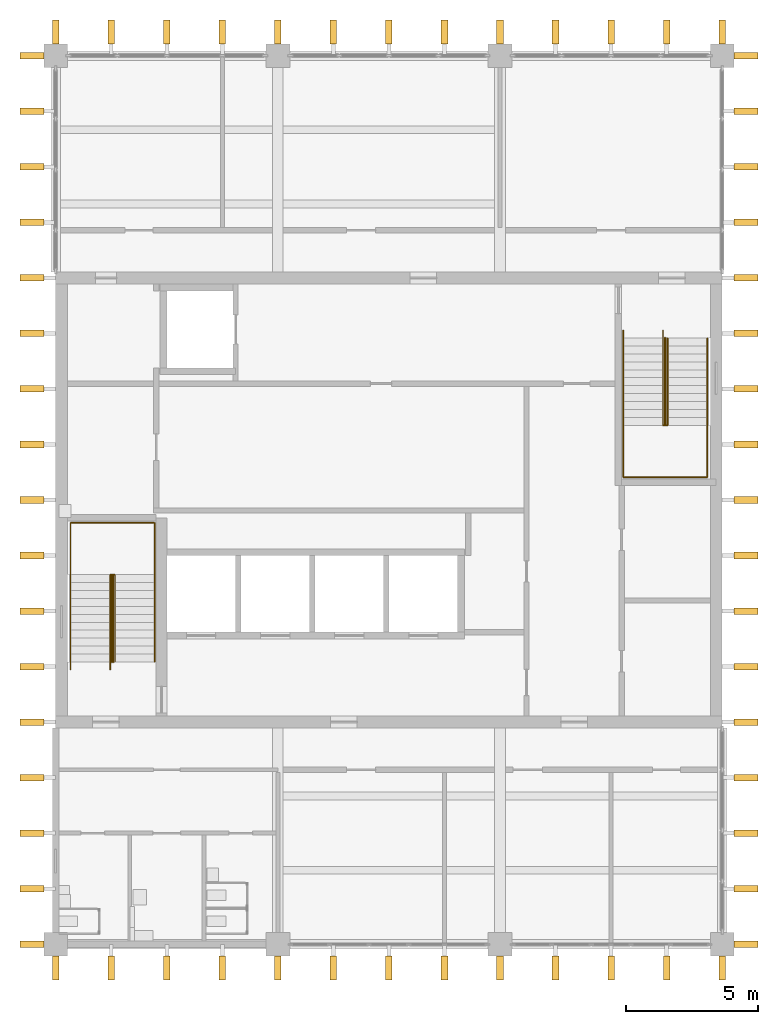
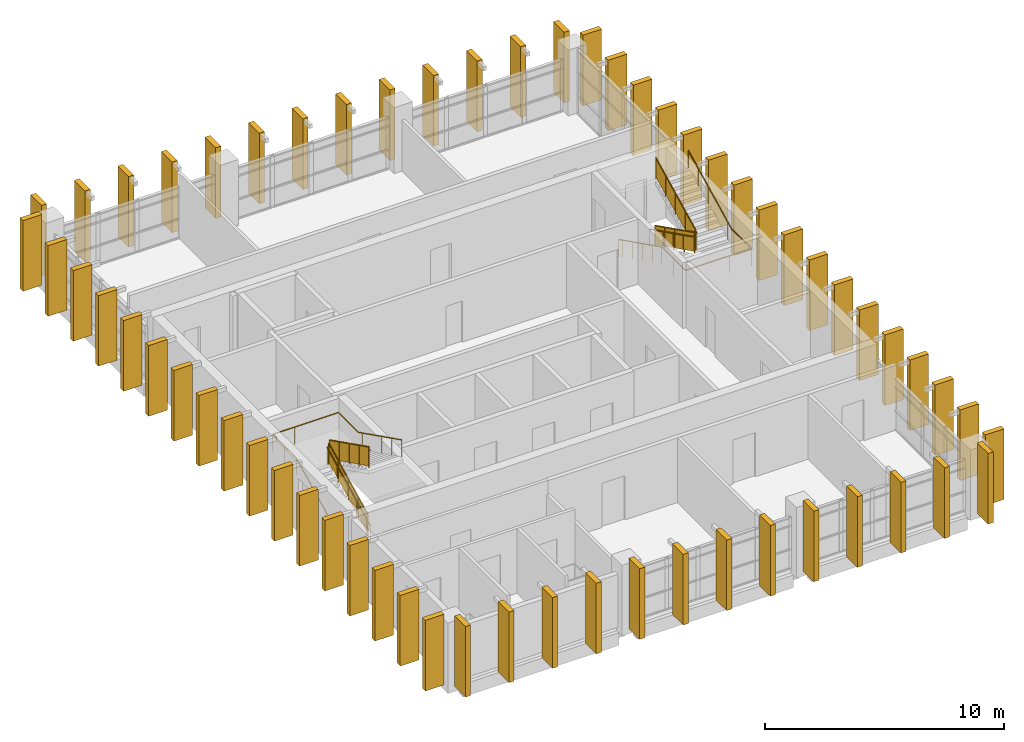
# One storey, part 10 of 11: 60 shading devices, 8 railings.
"""IFC4 building model written with IfcOpenShell, lengths in metres."""

import ifcopenshell
import ifcopenshell.guid

model = None  # the IFC model being written
_history = None  # IfcOwnerHistory: only IFC2X3 demands one
_inside = {}  # id of a spatial element -> (the spatial element, [elements in it])
_under = {}  # id of a project, library or spatial element -> (it, [spatial elements below it])
_declared = {}  # id of a project -> (the project, [libraries it declares])
_typed = {}  # id of a type object -> (the type object, [elements of that type])
_made_of = {}  # id of a material, layer set ... -> (it, [elements and type objects made of it])


def new_model(schema):
    """Start an empty IFC model of exactly this schema.

    Asked for "IFC4X3", IfcOpenShell would pick the latest addendum, in which some entities
    have other attributes; the version numbers below select the first issue.
    IFC2X3 requires an IfcOwnerHistory on every rooted entity: one is made here for all.
    """
    global model, _history
    if schema == "IFC4X3":
        model = ifcopenshell.file(schema_version=(4, 3, 0, 0))
    else:
        model = ifcopenshell.file(schema=schema)
    _inside.clear()
    _under.clear()
    _declared.clear()
    _typed.clear()
    _made_of.clear()
    _history = None
    if model.schema == "IFC2X3":
        org = make("IfcOrganization", Name="unknown")
        user = make(
            "IfcPersonAndOrganization",
            ThePerson=make("IfcPerson", FamilyName="unknown"),
            TheOrganization=org,
        )
        app = make(
            "IfcApplication",
            ApplicationDeveloper=org,
            Version="unknown",
            ApplicationFullName="unknown",
            ApplicationIdentifier="unknown",
        )
        _history = make(
            "IfcOwnerHistory",
            OwningUser=user,
            OwningApplication=app,
            ChangeAction="ADDED",
            CreationDate=0,
        )
    return model


def make(cls, **values):
    """One entity of the class cls with the attributes given. An attribute that is None is left unset."""
    return model.create_entity(
        cls, **{name: value for name, value in values.items() if value is not None}
    )


def rooted(cls, **values):
    """An entity with a GlobalId (a new one), such as an element, a storey or a relation."""
    return make(cls, GlobalId=ifcopenshell.guid.new(), OwnerHistory=_history, **values)


def si_unit(unit_type, name, prefix=None):
    """IfcSIUnit, for example si_unit("LENGTHUNIT", "METRE", prefix="MILLI")."""
    return make("IfcSIUnit", UnitType=unit_type, Prefix=prefix, Name=name)


def assignment(units):
    """IfcUnitAssignment: the units of a project."""
    return None if units is None else make("IfcUnitAssignment", Units=units)


def point(xyz):
    """IfcCartesianPoint."""
    return None if xyz is None else make("IfcCartesianPoint", Coordinates=xyz)


def direction(xyz):
    """IfcDirection."""
    return None if xyz is None else make("IfcDirection", DirectionRatios=xyz)


def frame(location, z_axis=None, x_axis=None):
    """IfcAxis2Placement3D, a coordinate frame: its origin and axes. An axis left out is left unset."""
    return make(
        "IfcAxis2Placement3D",
        Location=point(location),
        Axis=direction(z_axis),
        RefDirection=direction(x_axis),
    )


def frame_2d(location, x_axis=None):
    """IfcAxis2Placement2D, a coordinate frame in the plane: its origin and x axis."""
    return make(
        "IfcAxis2Placement2D", Location=point(location), RefDirection=direction(x_axis)
    )


def origin():
    """The frame at (0, 0, 0) with its axes left unset."""
    return frame((0.0, 0.0, 0.0))


def origin_2d():
    """The frame at (0, 0) in the plane with its x axis left unset."""
    return frame_2d((0.0, 0.0))


def place(relative_to, where):
    """IfcLocalPlacement: puts the frame where relative to a parent placement (None: the world)."""
    return make(
        "IfcLocalPlacement", PlacementRelTo=relative_to, RelativePlacement=where
    )


def context(
    kind, dimensions, precision=None, world=None, true_north=None, identifier=None
):
    """IfcGeometricRepresentationContext, for example the 3D "Model" context."""
    return make(
        "IfcGeometricRepresentationContext",
        ContextIdentifier=identifier,
        ContextType=kind,
        CoordinateSpaceDimension=dimensions,
        Precision=precision,
        WorldCoordinateSystem=world,
        TrueNorth=true_north,
    )


def subcontext(parent, identifier, kind, view, scale=None):
    """IfcGeometricRepresentationSubContext, for example "Body" below "Model"."""
    return make(
        "IfcGeometricRepresentationSubContext",
        ContextIdentifier=identifier,
        ContextType=kind,
        ParentContext=parent,
        TargetScale=scale,
        TargetView=view,
    )


def project(units=None, contexts=None):
    """IfcProject with its units and contexts."""
    return rooted(
        "IfcProject",
        Name="project",
        RepresentationContexts=contexts,
        UnitsInContext=assignment(units),
    )


def spatial(cls, under=None, at=None, **own):
    """A site, building, storey or space (cls), placed at a placement, below another one or the project."""
    s = rooted(cls, ObjectPlacement=at, **own)
    if under is not None:
        _under.setdefault(under.id(), (under, []))[1].append(s)
    return s


def polyline(points):
    """IfcPolyline through the points."""
    return make("IfcPolyline", Points=[point(p) for p in points])


def profile(cls, at=None, kind="AREA", **sizes):
    """A parametric profile (cls). Its sizes go by their IFC names, for example OverallWidth=200.0."""
    return make(cls, ProfileType=kind, Position=at, **sizes)


def rectangle(**sizes):
    """IfcRectangleProfileDef."""
    return profile("IfcRectangleProfileDef", **sizes)


def circle(**sizes):
    """IfcCircleProfileDef."""
    return profile("IfcCircleProfileDef", **sizes)


def outline(outer, holes=None, kind="AREA"):
    """IfcArbitraryClosedProfileDef: a profile drawn as a closed curve; with holes, ...WithVoids."""
    if holes is None:
        return make("IfcArbitraryClosedProfileDef", ProfileType=kind, OuterCurve=outer)
    return make(
        "IfcArbitraryProfileDefWithVoids",
        ProfileType=kind,
        OuterCurve=outer,
        InnerCurves=holes,
    )


def extrude(swept, where, along, depth):
    """IfcExtrudedAreaSolid: the profile swept, set in the frame where, extruded along a direction by depth."""
    return make(
        "IfcExtrudedAreaSolid",
        SweptArea=swept,
        Position=where,
        ExtrudedDirection=direction(along),
        Depth=depth,
    )


def shape(context_of_items, identifier, shape_type, items):
    """IfcShapeRepresentation: the items that make up one representation, for example the "Body"."""
    return make(
        "IfcShapeRepresentation",
        ContextOfItems=context_of_items,
        RepresentationIdentifier=identifier,
        RepresentationType=shape_type,
        Items=items,
    )


def material(Name=None, Category=None):
    """IfcMaterial."""
    return make("IfcMaterial", Name=Name, Category=Category)


def material_profile(
    of_material, cross_section, Name=None, Category=None, Priority=None
):
    """IfcMaterialProfile: a cross section and its material."""
    return make(
        "IfcMaterialProfile",
        Name=Name,
        Material=of_material,
        Profile=cross_section,
        Priority=Priority,
        Category=Category,
    )


def profile_set(profiles, Name=None, composite=None):
    """IfcMaterialProfileSet."""
    return make(
        "IfcMaterialProfileSet",
        Name=Name,
        MaterialProfiles=profiles,
        CompositeProfile=composite,
    )


def made_of(thing, what):
    """Note that an element or type object is made of a material, layer set ...; save() writes the relation."""
    if what is not None:
        _made_of.setdefault(what.id(), (what, []))[1].append(thing)
    return thing


def type_object(cls, material=None, **own):
    """A type object (cls), such as IfcWallType, which elements share."""
    return made_of(rooted(cls, **own), material)


def element(
    cls,
    number,
    at=None,
    inside=None,
    cuts=None,
    type_object=None,
    material=None,
    context=None,
    identifier="Body",
    shape_type=None,
    held_by="IfcProductDefinitionShape",
    body=None,
    shapes=None,
    **own,
):
    """One element of the class cls, such as IfcWall. Its Tag is "e" and its number.

    at: its placement. inside: the storey or other place that contains it. cuts: it is an
    opening in that element (IfcRelVoidsElement). A single representation is given by context,
    identifier, shape_type and body (its items); several are given by shapes. held_by: the class
    of the entity that holds the representations. save() writes the other relations.
    """
    e = rooted(cls, Tag="e%d" % number, ObjectPlacement=at, **own)
    if body is not None:
        shapes = [shape(context, identifier, shape_type, body)]
    if shapes is not None:
        e.Representation = make(held_by, Representations=shapes)
    if inside is not None:
        _inside.setdefault(inside.id(), (inside, []))[1].append(e)
    if cuts is not None:
        rooted(
            "IfcRelVoidsElement", RelatingBuildingElement=cuts, RelatedOpeningElement=e
        )
    if type_object is not None:
        _typed.setdefault(type_object.id(), (type_object, []))[1].append(e)
    return made_of(e, material)


def aggregate(whole, parts):
    """IfcRelAggregates: a whole, such as a stair, and the parts it consists of."""
    return rooted("IfcRelAggregates", RelatingObject=whole, RelatedObjects=parts)


def save(model, path):
    """Write the relations noted so far, then the file.

    IfcRelAggregates (storeys below a building ...), IfcRelContainedInSpatialStructure (elements
    in a storey), IfcRelDefinesByType, IfcRelAssociatesMaterial and IfcRelDeclares: one each for
    every whole, place, type object, material and project.
    """
    for whole, parts in _under.values():
        aggregate(whole, parts)
    for where, things in _inside.values():
        rooted(
            "IfcRelContainedInSpatialStructure",
            RelatedElements=things,
            RelatingStructure=where,
        )
    for kind, things in _typed.values():
        rooted("IfcRelDefinesByType", RelatedObjects=things, RelatingType=kind)
    for what, things in _made_of.values():
        rooted("IfcRelAssociatesMaterial", RelatedObjects=things, RelatingMaterial=what)
    for by, libraries in _declared.values():
        rooted("IfcRelDeclares", RelatingContext=by, RelatedDefinitions=libraries)
    model.write(path)


model = new_model("IFC4")

# Units and contexts
model_context = context("Model", 3, precision=1e-05, world=origin(), true_north=direction((0.0, 1.0)))
body_context = subcontext(model_context, "Body", "Model", "MODEL_VIEW")
ifc_project = project(units=[si_unit("LENGTHUNIT", "METRE"), si_unit("AREAUNIT", "SQUARE_METRE"), si_unit("VOLUMEUNIT", "CUBIC_METRE"), si_unit("PLANEANGLEUNIT", "RADIAN"), si_unit("MASSUNIT", "GRAM", prefix="KILO")], contexts=[model_context])

# Site, building, storey
site_placement = place(None, origin())
site = spatial("IfcSite", under=ifc_project, at=site_placement, CompositionType="ELEMENT")
building_placement = place(site_placement, origin())
building = spatial("IfcBuilding", under=site, at=building_placement, Name="Rulbaag Community and Learning Centre", CompositionType="ELEMENT")
storey_placement = place(building_placement, frame((0.0, 0.0, 32.39990234375)))
storey = spatial("IfcBuildingStorey", under=building, at=storey_placement, Name="L08", CompositionType="ELEMENT", Elevation=32.39990234375)

# Shading devices
ifc_material_1 = material(Name="Concrete M40", Category="concrete")
ifc_material_profile = material_profile(ifc_material_1, rectangle(XDim=0.25, YDim=0.89990234375, at=origin_2d()), Name="PC 250x900")
ifc_profile_set = profile_set([ifc_material_profile], Name="Concrete M40")
shading_device_type = type_object("IfcShadingDeviceType", Name="FIN-H", PredefinedType="JALOUSIE", material=ifc_profile_set)
for number, where, z_axis, x_axis, name in (
    (1, (142.800048828125, 83.10009765625, 0.0), (0.0, 0.0, 1.0), (1.0, 0.0, 0.0), "Precast fin"),
    (2, (144.89990234375, 83.10009765625, 0.0), (0.0, 0.0, 1.0), (1.0, 0.0, 0.0), "Precast fin"),
    (3, (147.0, 83.10009765625, 0.0), (0.0, 0.0, 1.0), (1.0, 0.0, 0.0), "Precast fin"),
    (4, (149.10009765625, 83.10009765625, 0.0), (0.0, 0.0, 1.0), (1.0, 0.0, 0.0), "Precast fin"),
    (5, (151.199951171875, 83.10009765625, 0.0), (0.0, 0.0, 1.0), (1.0, 0.0, 0.0), "Precast fin"),
    (6, (153.300048828125, 83.10009765625, 0.0), (0.0, 0.0, 1.0), (1.0, 0.0, 0.0), "Precast fin"),
    (7, (155.39990234375, 83.10009765625, 0.0), (0.0, 0.0, 1.0), (1.0, 0.0, 0.0), "Precast fin"),
    (8, (157.5, 83.10009765625, 0.0), (0.0, 0.0, 1.0), (1.0, 0.0, 0.0), "Precast fin"),
    (9, (159.60009765625, 83.10009765625, 0.0), (0.0, 0.0, 1.0), (1.0, 0.0, 0.0), "Precast fin"),
    (10, (161.699951171875, 83.10009765625, 0.0), (0.0, 0.0, 1.0), (1.0, 0.0, 0.0), "Precast fin"),
    (11, (163.800048828125, 83.10009765625, 0.0), (0.0, 0.0, 1.0), (1.0, 0.0, 0.0), "Precast fin"),
    (12, (165.89990234375, 83.10009765625, 0.0), (0.0, 0.0, 1.0), (1.0, 0.0, 0.0), "Precast fin"),
    (13, (168.0, 83.10009765625, 0.0), (0.0, 0.0, 1.0), (1.0, 0.0, 0.0), "Precast fin"),
    (14, (142.800048828125, 118.5, 0.0), (0.0, 0.0, 1.0), (1.0, 0.0, 0.0), "Precast fin"),
    (15, (144.89990234375, 118.5, 0.0), (0.0, 0.0, 1.0), (1.0, 0.0, 0.0), "Precast fin"),
    (16, (147.0, 118.5, 0.0), (0.0, 0.0, 1.0), (1.0, 0.0, 0.0), "Precast fin"),
    (17, (149.10009765625, 118.5, 0.0), (0.0, 0.0, 1.0), (1.0, 0.0, 0.0), "Precast fin"),
    (18, (151.199951171875, 118.5, 0.0), (0.0, 0.0, 1.0), (1.0, 0.0, 0.0), "Precast fin"),
    (19, (153.300048828125, 118.5, 0.0), (0.0, 0.0, 1.0), (1.0, 0.0, 0.0), "Precast fin"),
    (20, (155.39990234375, 118.5, 0.0), (0.0, 0.0, 1.0), (1.0, 0.0, 0.0), "Precast fin"),
    (21, (157.5, 118.5, 0.0), (0.0, 0.0, 1.0), (1.0, 0.0, 0.0), "Precast fin"),
    (22, (159.60009765625, 118.5, 0.0), (0.0, 0.0, 1.0), (1.0, 0.0, 0.0), "Precast fin"),
    (23, (161.699951171875, 118.5, 0.0), (0.0, 0.0, 1.0), (1.0, 0.0, 0.0), "Precast fin"),
    (24, (163.800048828125, 118.5, 0.0), (0.0, 0.0, 1.0), (1.0, 0.0, 0.0), "Precast fin"),
    (25, (165.89990234375, 118.5, 0.0), (0.0, 0.0, 1.0), (1.0, 0.0, 0.0), "Precast fin"),
    (26, (168.0, 118.5, 0.0), (0.0, 0.0, 1.0), (1.0, 0.0, 0.0), "Precast fin"),
    (27, (141.89990234375, 84.0, 0.0), (0.0, 0.0, 1.0), (0.0, 1.0, 0.0), "Precast fin"),
    (28, (141.89990234375, 86.10009765625, 0.0), (0.0, 0.0, 1.0), (0.0, 1.0, 0.0), "Precast fin"),
    (29, (141.89990234375, 88.199951171875, 0.0), (0.0, 0.0, 1.0), (0.0, 1.0, 0.0), "Precast fin"),
    (30, (141.89990234375, 90.300048828125, 0.0), (0.0, 0.0, 1.0), (0.0, 1.0, 0.0), "Precast fin"),
    (31, (141.89990234375, 92.39990234375, 0.0), (0.0, 0.0, 1.0), (0.0, 1.0, 0.0), "Precast fin"),
    (32, (141.89990234375, 94.5, 0.0), (0.0, 0.0, 1.0), (0.0, 1.0, 0.0), "Precast fin"),
    (33, (141.89990234375, 96.60009765625, 0.0), (0.0, 0.0, 1.0), (0.0, 1.0, 0.0), "Precast fin"),
    (34, (141.89990234375, 98.699951171875, 0.0), (0.0, 0.0, 1.0), (0.0, 1.0, 0.0), "Precast fin"),
    (35, (141.89990234375, 100.800048828125, 0.0), (0.0, 0.0, 1.0), (0.0, 1.0, 0.0), "Precast fin"),
    (36, (141.89990234375, 102.89990234375, 0.0), (0.0, 0.0, 1.0), (0.0, 1.0, 0.0), "Precast fin"),
    (37, (141.89990234375, 105.0, 0.0), (0.0, 0.0, 1.0), (0.0, 1.0, 0.0), "Precast fin"),
    (38, (141.89990234375, 107.10009765625, 0.0), (0.0, 0.0, 1.0), (0.0, 1.0, 0.0), "Precast fin"),
    (39, (141.89990234375, 109.199951171875, 0.0), (0.0, 0.0, 1.0), (0.0, 1.0, 0.0), "Precast fin"),
    (40, (141.89990234375, 111.300048828125, 0.0), (0.0, 0.0, 1.0), (0.0, 1.0, 0.0), "Precast fin"),
    (41, (141.89990234375, 113.39990234375, 0.0), (0.0, 0.0, 1.0), (0.0, 1.0, 0.0), "Precast fin"),
    (42, (141.89990234375, 115.5, 0.0), (0.0, 0.0, 1.0), (0.0, 1.0, 0.0), "Precast fin"),
    (43, (141.89990234375, 117.60009765625, 0.0), (0.0, 0.0, 1.0), (0.0, 1.0, 0.0), "Precast fin"),
    (44, (168.89990234375, 84.0, 0.0), (0.0, 0.0, 1.0), (0.0, 1.0, 0.0), "Precast fin"),
    (45, (168.89990234375, 86.10009765625, 0.0), (0.0, 0.0, 1.0), (0.0, 1.0, 0.0), "Precast fin"),
    (46, (168.89990234375, 88.199951171875, 0.0), (0.0, 0.0, 1.0), (0.0, 1.0, 0.0), "Precast fin"),
    (47, (168.89990234375, 90.300048828125, 0.0), (0.0, 0.0, 1.0), (0.0, 1.0, 0.0), "Precast fin"),
    (48, (168.89990234375, 92.39990234375, 0.0), (0.0, 0.0, 1.0), (0.0, 1.0, 0.0), "Precast fin"),
    (49, (168.89990234375, 94.5, 0.0), (0.0, 0.0, 1.0), (0.0, 1.0, 0.0), "Precast fin"),
    (50, (168.89990234375, 96.60009765625, 0.0), (0.0, 0.0, 1.0), (0.0, 1.0, 0.0), "Precast fin"),
    (51, (168.89990234375, 98.699951171875, 0.0), (0.0, 0.0, 1.0), (0.0, 1.0, 0.0), "Precast fin"),
    (52, (168.89990234375, 100.800048828125, 0.0), (0.0, 0.0, 1.0), (0.0, 1.0, 0.0), "Precast fin"),
    (53, (168.89990234375, 102.89990234375, 0.0), (0.0, 0.0, 1.0), (0.0, 1.0, 0.0), "Precast fin"),
    (54, (168.89990234375, 105.0, 0.0), (0.0, 0.0, 1.0), (0.0, 1.0, 0.0), "Precast fin"),
    (55, (168.89990234375, 107.10009765625, 0.0), (0.0, 0.0, 1.0), (0.0, 1.0, 0.0), "Precast fin"),
    (56, (168.89990234375, 109.199951171875, 0.0), (0.0, 0.0, 1.0), (0.0, 1.0, 0.0), "Precast fin"),
    (57, (168.89990234375, 111.300048828125, 0.0), (0.0, 0.0, 1.0), (0.0, 1.0, 0.0), "Precast fin"),
    (58, (168.89990234375, 113.39990234375, 0.0), (0.0, 0.0, 1.0), (0.0, 1.0, 0.0), "Precast fin"),
    (59, (168.89990234375, 115.5, 0.0), (0.0, 0.0, 1.0), (0.0, 1.0, 0.0), "Precast fin"),
    (60, (168.89990234375, 117.60009765625, 0.0), (0.0, 0.0, 1.0), (0.0, 1.0, 0.0), "Precast fin"),
):
    element("IfcShadingDevice", number, at=place(storey_placement, frame(where, z_axis=z_axis, x_axis=x_axis)), inside=storey, type_object=shading_device_type, Name=name, PredefinedType="JALOUSIE", context=body_context, shape_type="SweptSolid", body=[
        extrude(rectangle(XDim=0.25, YDim=0.89990234375, at=origin_2d()), origin(), (0.0, 0.0, 1.0), 3.60009765625),
    ])

# Railings
ifc_material_2 = material(Name="Galvanised mild steel", Category="steel")
railing_type_1 = type_object("IfcRailingType", Name="GR-1100 GUARD 1100", PredefinedType="GUARDRAIL", material=ifc_material_2)
railing_1_placement = place(storey_placement, frame((144.929931640625, 94.675048828125, 0.150146484375)))
element("IfcRailing", 61, at=railing_1_placement, inside=storey, type_object=railing_type_1, Name="Guard ST1 L08 G", PredefinedType="GUARDRAIL", context=body_context, shape_type="SweptSolid", body=[
    extrude(circle(Radius=0.02490234375, at=origin_2d()), frame((0.0, 0.0, 1.0751953125), z_axis=(0.0, 0.894440424912, 0.447187126696), x_axis=(-1.0, 0.0, 0.0)), (0.0, 0.0, 1.0), 3.689453125),
    extrude(circle(Radius=0.02001953125, at=origin_2d()), origin(), (0.0, 0.0, 1.0), 1.050048828125),
    extrude(circle(Radius=0.02001953125, at=origin_2d()), frame((0.0, 0.824951171875, 0.41259765625)), (0.0, 0.0, 1.0), 1.050048828125),
    extrude(circle(Radius=0.02001953125, at=origin_2d()), frame((0.0, 1.64990234375, 0.824951171875)), (0.0, 0.0, 1.0), 1.050048828125),
    extrude(circle(Radius=0.02001953125, at=origin_2d()), frame((0.0, 2.47509765625, 1.2373046875)), (0.0, 0.0, 1.0), 1.050048828125),
    extrude(circle(Radius=0.02001953125, at=origin_2d()), frame((0.0, 3.300048828125, 1.64990234375)), (0.0, 0.0, 1.0), 1.050048828125),
    extrude(outline(polyline([(0.0, 0.0), (3.300048828125, 1.64990234375), (3.300048828125, 2.599853515625), (0.0, 0.949951171875), (0.0, 0.0)])), frame((-0.0048828125, 0.0, 0.10009765625), z_axis=(1.0, 0.0, 0.0), x_axis=(0.0, 1.0, 0.0)), (0.0, 0.0, 1.0), 0.010009765625),
])
for number, where, name in (
    (62, (144.969970703125, 97.97509765625, 1.9501953125), "Guard ST1 L08 G2"),
    (63, (165.830078125, 106.925048828125, 0.150146484375), "Guard ST2 L08 G"),
):
    element("IfcRailing", number, at=place(storey_placement, frame(where)), inside=storey, type_object=railing_type_1, Name=name, PredefinedType="GUARDRAIL", context=body_context, shape_type="SweptSolid", body=[
        extrude(circle(Radius=0.02490234375, at=origin_2d()), frame((0.0, 0.0, 1.0751953125), z_axis=(0.0, -0.894440424912, 0.447187126696), x_axis=(1.0, 0.0, 0.0)), (0.0, 0.0, 1.0), 3.689453125),
        extrude(circle(Radius=0.02001953125, at=origin_2d()), origin(), (0.0, 0.0, 1.0), 1.050048828125),
        extrude(circle(Radius=0.02001953125, at=origin_2d()), frame((0.0, -0.824951171875, 0.41259765625)), (0.0, 0.0, 1.0), 1.050048828125),
        extrude(circle(Radius=0.02001953125, at=origin_2d()), frame((0.0, -1.64990234375, 0.824951171875)), (0.0, 0.0, 1.0), 1.050048828125),
        extrude(circle(Radius=0.02001953125, at=origin_2d()), frame((0.0, -2.47509765625, 1.2373046875)), (0.0, 0.0, 1.0), 1.050048828125),
        extrude(circle(Radius=0.02001953125, at=origin_2d()), frame((0.0, -3.300048828125, 1.64990234375)), (0.0, 0.0, 1.0), 1.050048828125),
        extrude(outline(polyline([(0.0, 0.0), (3.300048828125, 1.64990234375), (3.300048828125, 2.599853515625), (0.0, 0.949951171875), (0.0, 0.0)])), frame((0.0048828125, 0.0, 0.10009765625), z_axis=(-1.0, 0.0, 0.0), x_axis=(0.0, -1.0, 0.0)), (0.0, 0.0, 1.0), 0.010009765625),
    ])
railing_2_placement = place(storey_placement, frame((165.8701171875, 103.625, 1.9501953125)))
element("IfcRailing", 64, at=railing_2_placement, inside=storey, type_object=railing_type_1, Name="Guard ST2 L08 G2", PredefinedType="GUARDRAIL", context=body_context, shape_type="SweptSolid", body=[
    extrude(circle(Radius=0.02490234375, at=origin_2d()), frame((0.0, 0.0, 1.0751953125), z_axis=(0.0, 0.894440424912, 0.447187126696), x_axis=(-1.0, 0.0, 0.0)), (0.0, 0.0, 1.0), 3.689453125),
    extrude(circle(Radius=0.02001953125, at=origin_2d()), origin(), (0.0, 0.0, 1.0), 1.050048828125),
    extrude(circle(Radius=0.02001953125, at=origin_2d()), frame((0.0, 0.824951171875, 0.41259765625)), (0.0, 0.0, 1.0), 1.050048828125),
    extrude(circle(Radius=0.02001953125, at=origin_2d()), frame((0.0, 1.64990234375, 0.824951171875)), (0.0, 0.0, 1.0), 1.050048828125),
    extrude(circle(Radius=0.02001953125, at=origin_2d()), frame((0.0, 2.47509765625, 1.2373046875)), (0.0, 0.0, 1.0), 1.050048828125),
    extrude(circle(Radius=0.02001953125, at=origin_2d()), frame((0.0, 3.300048828125, 1.64990234375)), (0.0, 0.0, 1.0), 1.050048828125),
    extrude(outline(polyline([(0.0, 0.0), (3.300048828125, 1.64990234375), (3.300048828125, 2.599853515625), (0.0, 0.949951171875), (0.0, 0.0)])), frame((-0.0048828125, 0.0, 0.10009765625), z_axis=(1.0, 0.0, 0.0), x_axis=(0.0, 1.0, 0.0)), (0.0, 0.0, 1.0), 0.010009765625),
])
ifc_material_3 = material(Name="Stainless steel grade 316", Category="steel")
railing_type_2 = type_object("IfcRailingType", Name="HR-900 HANDRAIL 900", PredefinedType="HANDRAIL", material=ifc_material_3)
railing_3_placement = place(storey_placement, frame((143.360107421875, 94.375, 0.0)))
element("IfcRailing", 65, at=railing_3_placement, inside=storey, type_object=railing_type_2, Name="Handrail ST1 L08 O", PredefinedType="HANDRAIL", context=body_context, shape_type="SweptSolid", body=[
    extrude(circle(Radius=0.024169921875, at=origin_2d()), frame((0.0, 0.0, 0.875732421875), z_axis=(0.0, 0.894281613681, 0.447504631744), x_axis=(-1.0, 0.0, 0.0)), (0.0, 0.0, 1.0), 0.33544921875),
    extrude(circle(Radius=0.024169921875, at=origin_2d()), frame((0.0, 0.300048828125, 1.02587890625), z_axis=(0.0, 0.894440424912, 0.447187126696), x_axis=(-1.0, 0.0, 0.0)), (0.0, 0.0, 1.0), 3.689453125),
    extrude(circle(Radius=0.024169921875, at=origin_2d()), frame((0.0, 3.60009765625, 2.67578125), z_axis=(0.0, 1.0, 0.0), x_axis=(-1.0, 0.0, 0.0)), (0.0, 0.0, 1.0), 1.96484375),
    extrude(circle(Radius=0.024169921875, at=origin_2d()), frame((0.0, 5.56494140625, 2.67578125), z_axis=(1.0, 0.0, 0.0), x_axis=(0.0, 1.0, 0.0)), (0.0, 0.0, 1.0), 3.179931640625),
    extrude(circle(Radius=0.024169921875, at=origin_2d()), frame((3.179931640625, 5.56494140625, 2.67578125), z_axis=(0.0, -1.0, 0.0), x_axis=(1.0, 0.0, 0.0)), (0.0, 0.0, 1.0), 1.6650390625),
    extrude(circle(Radius=0.024169921875, at=origin_2d()), frame((3.179931640625, 3.89990234375, 2.67578125), z_axis=(0.0, -0.894135751892, 0.447795999523), x_axis=(1.0, 0.0, 0.0)), (0.0, 0.0, 1.0), 0.335205078125),
    extrude(circle(Radius=0.024169921875, at=origin_2d()), frame((3.179931640625, 3.60009765625, 2.825927734375), z_axis=(0.0, -0.894440424912, 0.447187126696), x_axis=(1.0, 0.0, 0.0)), (0.0, 0.0, 1.0), 3.689453125),
    extrude(circle(Radius=0.008056640625, at=origin_2d()), origin(), (0.0, 0.0, 1.0), 0.8515625),
    extrude(circle(Radius=0.008056640625, at=origin_2d()), frame((0.0, 0.300048828125, 0.150146484375)), (0.0, 0.0, 1.0), 0.8515625),
    extrude(circle(Radius=0.008056640625, at=origin_2d()), frame((0.0, 1.125, 0.5625)), (0.0, 0.0, 1.0), 0.8515625),
    extrude(circle(Radius=0.008056640625, at=origin_2d()), frame((0.0, 1.9501953125, 0.97509765625)), (0.0, 0.0, 1.0), 0.8515625),
    extrude(circle(Radius=0.008056640625, at=origin_2d()), frame((0.0, 2.775146484375, 1.3876953125)), (0.0, 0.0, 1.0), 0.8515625),
    extrude(circle(Radius=0.008056640625, at=origin_2d()), frame((0.0, 3.60009765625, 1.800048828125)), (0.0, 0.0, 1.0), 0.8515625),
    extrude(circle(Radius=0.008056640625, at=origin_2d()), frame((0.0, 4.58251953125, 1.800048828125)), (0.0, 0.0, 1.0), 0.8515625),
    extrude(circle(Radius=0.008056640625, at=origin_2d()), frame((0.0, 5.56494140625, 1.800048828125)), (0.0, 0.0, 1.0), 0.8515625),
    extrude(circle(Radius=0.008056640625, at=origin_2d()), frame((1.06005859375, 5.56494140625, 1.800048828125)), (0.0, 0.0, 1.0), 0.8515625),
    extrude(circle(Radius=0.008056640625, at=origin_2d()), frame((2.119873046875, 5.56494140625, 1.800048828125)), (0.0, 0.0, 1.0), 0.8515625),
    extrude(circle(Radius=0.008056640625, at=origin_2d()), frame((3.179931640625, 5.56494140625, 1.800048828125)), (0.0, 0.0, 1.0), 0.8515625),
    extrude(circle(Radius=0.008056640625, at=origin_2d()), frame((3.179931640625, 4.732421875, 1.800048828125)), (0.0, 0.0, 1.0), 0.8515625),
    extrude(circle(Radius=0.008056640625, at=origin_2d()), frame((3.179931640625, 3.89990234375, 1.800048828125)), (0.0, 0.0, 1.0), 0.8515625),
    extrude(circle(Radius=0.008056640625, at=origin_2d()), frame((3.179931640625, 3.60009765625, 1.9501953125)), (0.0, 0.0, 1.0), 0.8515625),
    extrude(circle(Radius=0.008056640625, at=origin_2d()), frame((3.179931640625, 2.775146484375, 2.36279296875)), (0.0, 0.0, 1.0), 0.8515625),
    extrude(circle(Radius=0.008056640625, at=origin_2d()), frame((3.179931640625, 1.9501953125, 2.775146484375)), (0.0, 0.0, 1.0), 0.8515625),
    extrude(circle(Radius=0.008056640625, at=origin_2d()), frame((3.179931640625, 1.125, 3.1875)), (0.0, 0.0, 1.0), 0.8515625),
    extrude(circle(Radius=0.008056640625, at=origin_2d()), frame((3.179931640625, 0.300048828125, 3.60009765625)), (0.0, 0.0, 1.0), 0.8515625),
])
railing_4_placement = place(storey_placement, frame((144.860107421875, 94.375, 0.0)))
element("IfcRailing", 66, at=railing_4_placement, inside=storey, type_object=railing_type_2, Name="Handrail ST1 L08 I", PredefinedType="HANDRAIL", context=body_context, shape_type="SweptSolid", body=[
    extrude(circle(Radius=0.024169921875, at=origin_2d()), frame((0.0, 0.0, 0.875732421875), z_axis=(0.0, 0.894281613681, 0.447504631744), x_axis=(-1.0, 0.0, 0.0)), (0.0, 0.0, 1.0), 0.33544921875),
    extrude(circle(Radius=0.024169921875, at=origin_2d()), frame((0.0, 0.300048828125, 1.02587890625), z_axis=(0.0, 0.894440424912, 0.447187126696), x_axis=(-1.0, 0.0, 0.0)), (0.0, 0.0, 1.0), 3.689453125),
    extrude(circle(Radius=0.024169921875, at=origin_2d()), frame((0.0, 3.60009765625, 2.67578125), z_axis=(0.767794148456, 0.0, 0.640696609634), x_axis=(0.0, 1.0, 0.0)), (0.0, 0.0, 1.0), 0.234375),
    extrude(circle(Radius=0.024169921875, at=origin_2d()), frame((0.179931640625, 3.60009765625, 2.825927734375), z_axis=(0.0, -0.894440424912, 0.447187126696), x_axis=(1.0, 0.0, 0.0)), (0.0, 0.0, 1.0), 3.689453125),
    extrude(circle(Radius=0.008056640625, at=origin_2d()), origin(), (0.0, 0.0, 1.0), 0.8515625),
    extrude(circle(Radius=0.008056640625, at=origin_2d()), frame((0.0, 0.300048828125, 0.150146484375)), (0.0, 0.0, 1.0), 0.8515625),
    extrude(circle(Radius=0.008056640625, at=origin_2d()), frame((0.0, 1.125, 0.5625)), (0.0, 0.0, 1.0), 0.8515625),
    extrude(circle(Radius=0.008056640625, at=origin_2d()), frame((0.0, 1.9501953125, 0.97509765625)), (0.0, 0.0, 1.0), 0.8515625),
    extrude(circle(Radius=0.008056640625, at=origin_2d()), frame((0.0, 2.775146484375, 1.3876953125)), (0.0, 0.0, 1.0), 0.8515625),
    extrude(circle(Radius=0.008056640625, at=origin_2d()), frame((0.0, 3.60009765625, 1.800048828125)), (0.0, 0.0, 1.0), 0.8515625),
    extrude(circle(Radius=0.008056640625, at=origin_2d()), frame((0.179931640625, 3.60009765625, 1.9501953125)), (0.0, 0.0, 1.0), 0.8515625),
    extrude(circle(Radius=0.008056640625, at=origin_2d()), frame((0.179931640625, 2.775146484375, 2.36279296875)), (0.0, 0.0, 1.0), 0.8515625),
    extrude(circle(Radius=0.008056640625, at=origin_2d()), frame((0.179931640625, 1.9501953125, 2.775146484375)), (0.0, 0.0, 1.0), 0.8515625),
    extrude(circle(Radius=0.008056640625, at=origin_2d()), frame((0.179931640625, 1.125, 3.1875)), (0.0, 0.0, 1.0), 0.8515625),
    extrude(circle(Radius=0.008056640625, at=origin_2d()), frame((0.179931640625, 0.300048828125, 3.60009765625)), (0.0, 0.0, 1.0), 0.8515625),
])
railing_5_placement = place(storey_placement, frame((164.260009765625, 107.22509765625, 0.0)))
element("IfcRailing", 67, at=railing_5_placement, inside=storey, type_object=railing_type_2, Name="Handrail ST2 L08 O", PredefinedType="HANDRAIL", context=body_context, shape_type="SweptSolid", body=[
    extrude(circle(Radius=0.024169921875, at=origin_2d()), frame((0.0, 0.0, 0.875732421875), z_axis=(0.0, -0.894281613681, 0.447504631744), x_axis=(1.0, 0.0, 0.0)), (0.0, 0.0, 1.0), 0.33544921875),
    extrude(circle(Radius=0.024169921875, at=origin_2d()), frame((0.0, -0.300048828125, 1.02587890625), z_axis=(0.0, -0.894440424912, 0.447187126696), x_axis=(1.0, 0.0, 0.0)), (0.0, 0.0, 1.0), 3.689453125),
    extrude(circle(Radius=0.024169921875, at=origin_2d()), frame((0.0, -3.60009765625, 2.67578125), z_axis=(0.0, -1.0, 0.0), x_axis=(1.0, 0.0, 0.0)), (0.0, 0.0, 1.0), 1.965087890625),
    extrude(circle(Radius=0.024169921875, at=origin_2d()), frame((0.0, -5.565185546875, 2.67578125), z_axis=(1.0, 0.0, 0.0), x_axis=(0.0, 1.0, 0.0)), (0.0, 0.0, 1.0), 3.179931640625),
    extrude(circle(Radius=0.024169921875, at=origin_2d()), frame((3.179931640625, -5.565185546875, 2.67578125), z_axis=(0.0, 1.0, 0.0), x_axis=(-1.0, 0.0, 0.0)), (0.0, 0.0, 1.0), 1.6650390625),
    extrude(circle(Radius=0.024169921875, at=origin_2d()), frame((3.179931640625, -3.900146484375, 2.67578125), z_axis=(0.0, 0.894281613681, 0.447504631744), x_axis=(-1.0, 0.0, 0.0)), (0.0, 0.0, 1.0), 0.33544921875),
    extrude(circle(Radius=0.024169921875, at=origin_2d()), frame((3.179931640625, -3.60009765625, 2.825927734375), z_axis=(0.0, 0.894440424912, 0.447187126696), x_axis=(-1.0, 0.0, 0.0)), (0.0, 0.0, 1.0), 3.689453125),
    extrude(circle(Radius=0.008056640625, at=origin_2d()), origin(), (0.0, 0.0, 1.0), 0.8515625),
    extrude(circle(Radius=0.008056640625, at=origin_2d()), frame((0.0, -0.300048828125, 0.150146484375)), (0.0, 0.0, 1.0), 0.8515625),
    extrude(circle(Radius=0.008056640625, at=origin_2d()), frame((0.0, -1.125, 0.5625)), (0.0, 0.0, 1.0), 0.8515625),
    extrude(circle(Radius=0.008056640625, at=origin_2d()), frame((0.0, -1.9501953125, 0.97509765625)), (0.0, 0.0, 1.0), 0.8515625),
    extrude(circle(Radius=0.008056640625, at=origin_2d()), frame((0.0, -2.775146484375, 1.3876953125)), (0.0, 0.0, 1.0), 0.8515625),
    extrude(circle(Radius=0.008056640625, at=origin_2d()), frame((0.0, -3.60009765625, 1.800048828125)), (0.0, 0.0, 1.0), 0.8515625),
    extrude(circle(Radius=0.008056640625, at=origin_2d()), frame((0.0, -4.58251953125, 1.800048828125)), (0.0, 0.0, 1.0), 0.8515625),
    extrude(circle(Radius=0.008056640625, at=origin_2d()), frame((0.0, -5.565185546875, 1.800048828125)), (0.0, 0.0, 1.0), 0.8515625),
    extrude(circle(Radius=0.008056640625, at=origin_2d()), frame((1.06005859375, -5.565185546875, 1.800048828125)), (0.0, 0.0, 1.0), 0.8515625),
    extrude(circle(Radius=0.008056640625, at=origin_2d()), frame((2.119873046875, -5.565185546875, 1.800048828125)), (0.0, 0.0, 1.0), 0.8515625),
    extrude(circle(Radius=0.008056640625, at=origin_2d()), frame((3.179931640625, -5.565185546875, 1.800048828125)), (0.0, 0.0, 1.0), 0.8515625),
    extrude(circle(Radius=0.008056640625, at=origin_2d()), frame((3.179931640625, -4.732666015625, 1.800048828125)), (0.0, 0.0, 1.0), 0.8515625),
    extrude(circle(Radius=0.008056640625, at=origin_2d()), frame((3.179931640625, -3.900146484375, 1.800048828125)), (0.0, 0.0, 1.0), 0.8515625),
    extrude(circle(Radius=0.008056640625, at=origin_2d()), frame((3.179931640625, -3.60009765625, 1.9501953125)), (0.0, 0.0, 1.0), 0.8515625),
    extrude(circle(Radius=0.008056640625, at=origin_2d()), frame((3.179931640625, -2.775146484375, 2.36279296875)), (0.0, 0.0, 1.0), 0.8515625),
    extrude(circle(Radius=0.008056640625, at=origin_2d()), frame((3.179931640625, -1.9501953125, 2.775146484375)), (0.0, 0.0, 1.0), 0.8515625),
    extrude(circle(Radius=0.008056640625, at=origin_2d()), frame((3.179931640625, -1.125, 3.1875)), (0.0, 0.0, 1.0), 0.8515625),
    extrude(circle(Radius=0.008056640625, at=origin_2d()), frame((3.179931640625, -0.300048828125, 3.60009765625)), (0.0, 0.0, 1.0), 0.8515625),
])
railing_6_placement = place(storey_placement, frame((165.760009765625, 107.22509765625, 0.0)))
element("IfcRailing", 68, at=railing_6_placement, inside=storey, type_object=railing_type_2, Name="Handrail ST2 L08 I", PredefinedType="HANDRAIL", context=body_context, shape_type="SweptSolid", body=[
    extrude(circle(Radius=0.024169921875, at=origin_2d()), frame((0.0, 0.0, 0.875732421875), z_axis=(0.0, -0.894281613681, 0.447504631744), x_axis=(1.0, 0.0, 0.0)), (0.0, 0.0, 1.0), 0.33544921875),
    extrude(circle(Radius=0.024169921875, at=origin_2d()), frame((0.0, -0.300048828125, 1.02587890625), z_axis=(0.0, -0.894440424912, 0.447187126696), x_axis=(1.0, 0.0, 0.0)), (0.0, 0.0, 1.0), 3.689453125),
    extrude(circle(Radius=0.024169921875, at=origin_2d()), frame((0.0, -3.60009765625, 2.67578125), z_axis=(0.767794148456, 0.0, 0.640696609634), x_axis=(0.0, 1.0, 0.0)), (0.0, 0.0, 1.0), 0.234375),
    extrude(circle(Radius=0.024169921875, at=origin_2d()), frame((0.179931640625, -3.60009765625, 2.825927734375), z_axis=(0.0, 0.894440424912, 0.447187126696), x_axis=(-1.0, 0.0, 0.0)), (0.0, 0.0, 1.0), 3.689453125),
    extrude(circle(Radius=0.008056640625, at=origin_2d()), origin(), (0.0, 0.0, 1.0), 0.8515625),
    extrude(circle(Radius=0.008056640625, at=origin_2d()), frame((0.0, -0.300048828125, 0.150146484375)), (0.0, 0.0, 1.0), 0.8515625),
    extrude(circle(Radius=0.008056640625, at=origin_2d()), frame((0.0, -1.125, 0.5625)), (0.0, 0.0, 1.0), 0.8515625),
    extrude(circle(Radius=0.008056640625, at=origin_2d()), frame((0.0, -1.9501953125, 0.97509765625)), (0.0, 0.0, 1.0), 0.8515625),
    extrude(circle(Radius=0.008056640625, at=origin_2d()), frame((0.0, -2.775146484375, 1.3876953125)), (0.0, 0.0, 1.0), 0.8515625),
    extrude(circle(Radius=0.008056640625, at=origin_2d()), frame((0.0, -3.60009765625, 1.800048828125)), (0.0, 0.0, 1.0), 0.8515625),
    extrude(circle(Radius=0.008056640625, at=origin_2d()), frame((0.179931640625, -3.60009765625, 1.9501953125)), (0.0, 0.0, 1.0), 0.8515625),
    extrude(circle(Radius=0.008056640625, at=origin_2d()), frame((0.179931640625, -2.775146484375, 2.36279296875)), (0.0, 0.0, 1.0), 0.8515625),
    extrude(circle(Radius=0.008056640625, at=origin_2d()), frame((0.179931640625, -1.9501953125, 2.775146484375)), (0.0, 0.0, 1.0), 0.8515625),
    extrude(circle(Radius=0.008056640625, at=origin_2d()), frame((0.179931640625, -1.125, 3.1875)), (0.0, 0.0, 1.0), 0.8515625),
    extrude(circle(Radius=0.008056640625, at=origin_2d()), frame((0.179931640625, -0.300048828125, 3.60009765625)), (0.0, 0.0, 1.0), 0.8515625),
])

save(model, "model.ifc")
